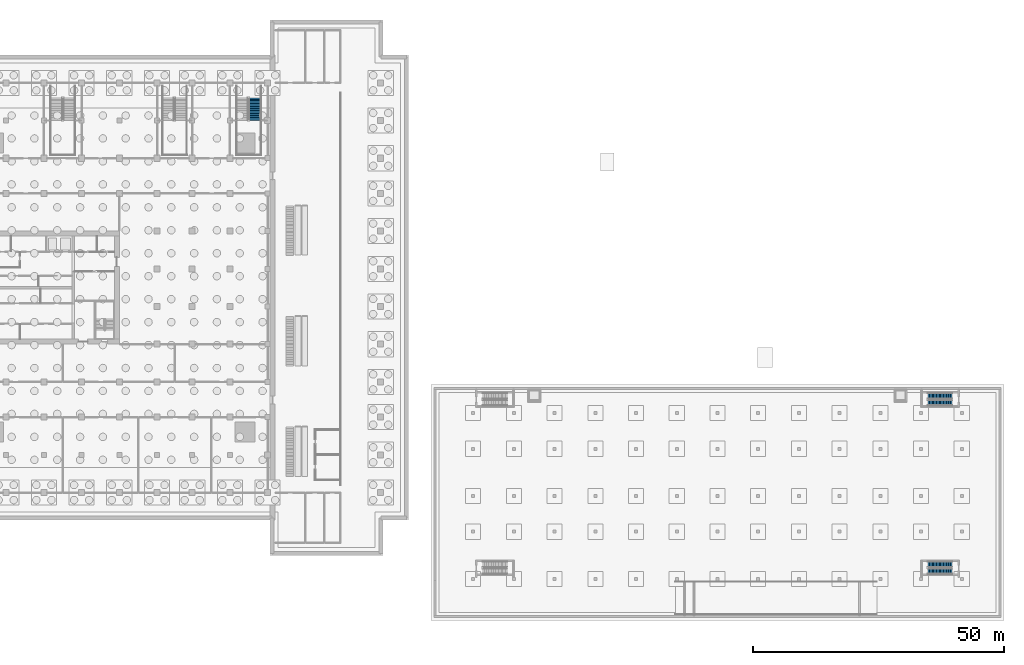
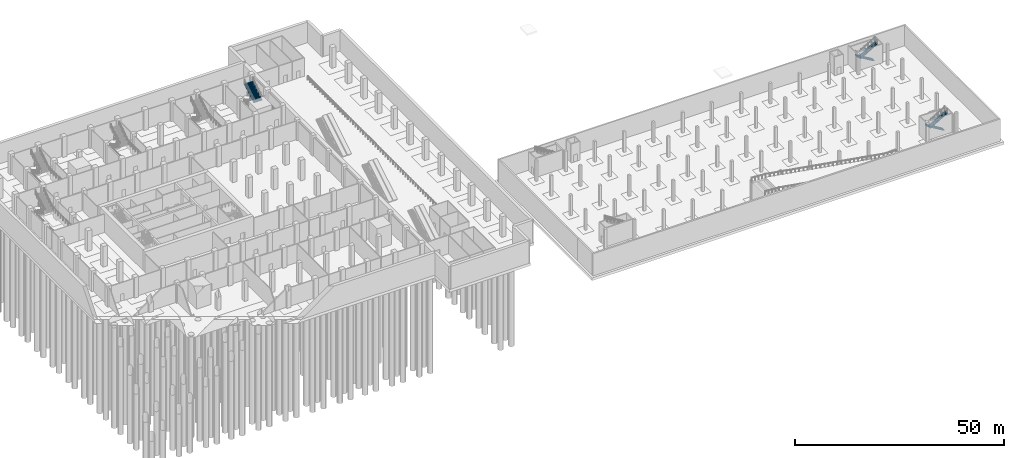
# One storey, part 26 of 39: 5 stair flights, 3 elements without a shape of their own.
"""IFC4 building model written with IfcOpenShell, lengths in metres."""

from ifc_helpers import new_model, si_unit, direction, frame, origin, place, context, subcontext, project, spatial, polyline, outline, extrude, material, type_object, element, aggregate, save


model = new_model("IFC4")

# Units and contexts
model_context = context("Model", 3, precision=1e-05, world=origin(), true_north=direction((0.0, 1.0)))
body_context = subcontext(model_context, "Body", "Model", "MODEL_VIEW")
ifc_project = project(units=[si_unit("LENGTHUNIT", "METRE"), si_unit("AREAUNIT", "SQUARE_METRE"), si_unit("VOLUMEUNIT", "CUBIC_METRE"), si_unit("PLANEANGLEUNIT", "RADIAN"), si_unit("MASSUNIT", "GRAM", prefix="KILO")], contexts=[model_context])

# Site, building, storey
site_placement = place(None, origin())
site = spatial("IfcSite", under=ifc_project, at=site_placement, CompositionType="ELEMENT")
building_placement = place(site_placement, origin())
building = spatial("IfcBuilding", under=site, at=building_placement, Name="Tamorin Gate", CompositionType="ELEMENT")
storey_placement = place(building_placement, frame((0.0, 0.0, -12.0)))
storey = spatial("IfcBuildingStorey", under=building, at=storey_placement, Name="B2", CompositionType="ELEMENT", Elevation=-12.0)

# Stair, stair flights
ifc_material_1 = material(Name="Concrete C40/50", Category="concrete")
stair_type_1 = type_object("IfcStairType", Name="Exit stair 1200 C40/50", PredefinedType="HALF_TURN_STAIR", material=ifc_material_1)
stair_1_placement = place(storey_placement, origin())
stair_1 = element("IfcStair", 1, at=stair_1_placement, inside=storey, type_object=stair_type_1, Name="B2 SB8", PredefinedType="HALF_TURN_STAIR")
stair_flight_type_1 = type_object("IfcStairFlightType", Name="Exit stair flight 1200 C40/50", PredefinedType="STRAIGHT", material=ifc_material_1)
stair_flight_1_placement = place(storey_placement, frame((225.64990234375, 16.199951171875, 0.0), z_axis=(0.0, 0.0, 1.0), x_axis=(-1.0, 0.0, 0.0)))
stair_flight_1 = element("IfcStairFlight", 2, at=stair_flight_1_placement, type_object=stair_flight_type_1, Name="SB8 flight 1", NumberOfRisers=18, NumberOfTreads=17, PredefinedType="STRAIGHT", RiserHeight=0.166666667, TreadLength=0.28, context=body_context, shape_type="SweptSolid", body=[
    extrude(outline(polyline([(-0.00048828125, 0.0), (-0.00048828125, 0.166748046875), (0.280029296875, 0.166748046875), (0.280029296875, 0.333251953125), (0.56005859375, 0.333251953125), (0.56005859375, 0.5), (0.840087890625, 0.5), (0.840087890625, 0.666748046875), (1.1201171875, 0.666748046875), (1.1201171875, 0.833251953125), (1.39990234375, 0.833251953125), (1.39990234375, 1.0), (1.679931640625, 1.0), (1.679931640625, 1.166748046875), (1.9599609375, 1.166748046875), (1.9599609375, 1.333251953125), (2.239990234375, 1.333251953125), (2.239990234375, 1.5), (2.52001953125, 1.5), (2.52001953125, 1.666748046875), (2.800048828125, 1.666748046875), (2.800048828125, 1.833251953125), (3.080078125, 1.833251953125), (3.080078125, 2.0), (3.360107421875, 2.0), (3.360107421875, 2.166748046875), (3.639892578125, 2.166748046875), (3.639892578125, 2.333251953125), (3.919921875, 2.333251953125), (3.919921875, 2.5), (4.199951171875, 2.5), (4.199951171875, 2.666748046875), (4.47998046875, 2.666748046875), (4.47998046875, 2.833251953125), (4.760009765625, 2.833251953125), (4.760009765625, 3.0), (4.760498046875, 3.0), (4.760498046875, 2.658935546875), (4.760009765625, 2.658935546875), (0.29296875, 0.0), (-0.00048828125, 0.0)])), frame((0.0, 0.60009765625, 0.0), z_axis=(0.0, -1.0, 0.0), x_axis=(1.0, 0.0, 0.0)), (0.0, 0.0, 1.0), 1.199951171875),
])
stair_flight_2_placement = place(storey_placement, frame((220.889892578125, 14.85009765625, 3.0), z_axis=(0.0, 0.0, 1.0), x_axis=(1.0, 0.0, 0.0)))
stair_flight_2 = element("IfcStairFlight", 3, at=stair_flight_2_placement, type_object=stair_flight_type_1, Name="SB8 flight 2", NumberOfRisers=18, NumberOfTreads=17, PredefinedType="STRAIGHT", RiserHeight=0.166666667, TreadLength=0.28, context=body_context, shape_type="SweptSolid", body=[
    extrude(outline(polyline([(-0.00048828125, 0.0), (-0.00048828125, 0.166748046875), (0.280029296875, 0.166748046875), (0.280029296875, 0.333251953125), (0.56005859375, 0.333251953125), (0.56005859375, 0.5), (0.840087890625, 0.5), (0.840087890625, 0.666748046875), (1.1201171875, 0.666748046875), (1.1201171875, 0.833251953125), (1.39990234375, 0.833251953125), (1.39990234375, 1.0), (1.679931640625, 1.0), (1.679931640625, 1.166748046875), (1.9599609375, 1.166748046875), (1.9599609375, 1.333251953125), (2.239990234375, 1.333251953125), (2.239990234375, 1.5), (2.52001953125, 1.5), (2.52001953125, 1.666748046875), (2.800048828125, 1.666748046875), (2.800048828125, 1.833251953125), (3.080078125, 1.833251953125), (3.080078125, 2.0), (3.360107421875, 2.0), (3.360107421875, 2.166748046875), (3.639892578125, 2.166748046875), (3.639892578125, 2.333251953125), (3.919921875, 2.333251953125), (3.919921875, 2.5), (4.199951171875, 2.5), (4.199951171875, 2.666748046875), (4.47998046875, 2.666748046875), (4.47998046875, 2.833251953125), (4.760009765625, 2.833251953125), (4.760009765625, 3.0), (4.760498046875, 3.0), (4.760498046875, 2.658935546875), (4.760009765625, 2.658935546875), (0.29296875, 0.0), (-0.00048828125, 0.0)])), frame((0.0, 0.60009765625, 0.0), z_axis=(0.0, -1.0, 0.0), x_axis=(1.0, 0.0, 0.0)), (0.0, 0.0, 1.0), 1.199951171875),
])
aggregate(stair_1, [stair_flight_1, stair_flight_2])

stair_2_placement = place(storey_placement, origin())
stair_2 = element("IfcStair", 4, at=stair_2_placement, inside=storey, type_object=stair_type_1, Name="B2 SB9", PredefinedType="HALF_TURN_STAIR")
stair_flight_3_placement = place(storey_placement, frame((225.64990234375, 49.699951171875, 0.0), z_axis=(0.0, 0.0, 1.0), x_axis=(-1.0, 0.0, 0.0)))
stair_flight_3 = element("IfcStairFlight", 5, at=stair_flight_3_placement, type_object=stair_flight_type_1, Name="SB9 flight 1", NumberOfRisers=18, NumberOfTreads=17, PredefinedType="STRAIGHT", RiserHeight=0.166666667, TreadLength=0.28, context=body_context, shape_type="SweptSolid", body=[
    extrude(outline(polyline([(-0.00048828125, 0.0), (-0.00048828125, 0.166748046875), (0.280029296875, 0.166748046875), (0.280029296875, 0.333251953125), (0.56005859375, 0.333251953125), (0.56005859375, 0.5), (0.840087890625, 0.5), (0.840087890625, 0.666748046875), (1.1201171875, 0.666748046875), (1.1201171875, 0.833251953125), (1.39990234375, 0.833251953125), (1.39990234375, 1.0), (1.679931640625, 1.0), (1.679931640625, 1.166748046875), (1.9599609375, 1.166748046875), (1.9599609375, 1.333251953125), (2.239990234375, 1.333251953125), (2.239990234375, 1.5), (2.52001953125, 1.5), (2.52001953125, 1.666748046875), (2.800048828125, 1.666748046875), (2.800048828125, 1.833251953125), (3.080078125, 1.833251953125), (3.080078125, 2.0), (3.360107421875, 2.0), (3.360107421875, 2.166748046875), (3.639892578125, 2.166748046875), (3.639892578125, 2.333251953125), (3.919921875, 2.333251953125), (3.919921875, 2.5), (4.199951171875, 2.5), (4.199951171875, 2.666748046875), (4.47998046875, 2.666748046875), (4.47998046875, 2.833251953125), (4.760009765625, 2.833251953125), (4.760009765625, 3.0), (4.760498046875, 3.0), (4.760498046875, 2.658935546875), (4.760009765625, 2.658935546875), (0.29296875, 0.0), (-0.00048828125, 0.0)])), frame((0.0, 0.60009765625, 0.0), z_axis=(0.0, -1.0, 0.0), x_axis=(1.0, 0.0, 0.0)), (0.0, 0.0, 1.0), 1.199951171875),
])
stair_flight_4_placement = place(storey_placement, frame((220.889892578125, 48.35009765625, 3.0), z_axis=(0.0, 0.0, 1.0), x_axis=(1.0, 0.0, 0.0)))
stair_flight_4 = element("IfcStairFlight", 6, at=stair_flight_4_placement, type_object=stair_flight_type_1, Name="SB9 flight 2", NumberOfRisers=18, NumberOfTreads=17, PredefinedType="STRAIGHT", RiserHeight=0.166666667, TreadLength=0.28, context=body_context, shape_type="SweptSolid", body=[
    extrude(outline(polyline([(-0.00048828125, 0.0), (-0.00048828125, 0.166748046875), (0.280029296875, 0.166748046875), (0.280029296875, 0.333251953125), (0.56005859375, 0.333251953125), (0.56005859375, 0.5), (0.840087890625, 0.5), (0.840087890625, 0.666748046875), (1.1201171875, 0.666748046875), (1.1201171875, 0.833251953125), (1.39990234375, 0.833251953125), (1.39990234375, 1.0), (1.679931640625, 1.0), (1.679931640625, 1.166748046875), (1.9599609375, 1.166748046875), (1.9599609375, 1.333251953125), (2.239990234375, 1.333251953125), (2.239990234375, 1.5), (2.52001953125, 1.5), (2.52001953125, 1.666748046875), (2.800048828125, 1.666748046875), (2.800048828125, 1.833251953125), (3.080078125, 1.833251953125), (3.080078125, 2.0), (3.360107421875, 2.0), (3.360107421875, 2.166748046875), (3.639892578125, 2.166748046875), (3.639892578125, 2.333251953125), (3.919921875, 2.333251953125), (3.919921875, 2.5), (4.199951171875, 2.5), (4.199951171875, 2.666748046875), (4.47998046875, 2.666748046875), (4.47998046875, 2.833251953125), (4.760009765625, 2.833251953125), (4.760009765625, 3.0), (4.760498046875, 3.0), (4.760498046875, 2.658935546875), (4.760009765625, 2.658935546875), (0.29296875, 0.0), (-0.00048828125, 0.0)])), frame((0.0, 0.60009765625, 0.0), z_axis=(0.0, -1.0, 0.0), x_axis=(1.0, 0.0, 0.0)), (0.0, 0.0, 1.0), 1.199951171875),
])
aggregate(stair_2, [stair_flight_3, stair_flight_4])

# Stair, stair flight
ifc_material_2 = material(Name="Reinforced concrete C32/40", Category="concrete")
stair_type_2 = type_object("IfcStairType", Name="Basement stair SB", PredefinedType="HALF_TURN_STAIR", material=ifc_material_2)
stair_3_placement = place(storey_placement, origin())
stair_3 = element("IfcStair", 7, at=stair_3_placement, inside=storey, type_object=stair_type_2, Name="B2 Basement stair SB5", PredefinedType="HALF_TURN_STAIR")
stair_flight_type_2 = type_object("IfcStairFlightType", Name="Stair flight 2400", PredefinedType="STRAIGHT", material=ifc_material_2)
stair_flight_5_placement = place(storey_placement, frame((87.02490234375, 104.52001953125, 3.0), z_axis=(0.0, 0.0, 1.0), x_axis=(0.0, 1.0, 0.0)))
stair_flight_5 = element("IfcStairFlight", 8, at=stair_flight_5_placement, type_object=stair_flight_type_2, Name="SB5 flight 2", NumberOfRisers=17, NumberOfTreads=16, PredefinedType="STRAIGHT", RiserHeight=0.176470588, TreadLength=0.28, context=body_context, shape_type="SweptSolid", body=[
    extrude(outline(polyline([(-0.00048828125, 0.0), (-0.00048828125, 0.001708984375), (-0.00048828125, 0.00341796875), (-0.00048828125, 0.005126953125), (-0.00048828125, 0.007080078125), (-0.00048828125, 0.0087890625), (-0.00048828125, 0.010498046875), (-0.00048828125, 0.01220703125), (-0.00048828125, 0.013916015625), (-0.00048828125, 0.015625), (-0.00048828125, 0.017578125), (-0.00048828125, 0.019287109375), (-0.00048828125, 0.02099609375), (-0.00048828125, 0.022705078125), (-0.00048828125, 0.0244140625), (-0.00048828125, 0.026123046875), (-0.00048828125, 0.028076171875), (-0.00048828125, 0.02978515625), (-0.00048828125, 0.031494140625), (-0.00048828125, 0.033203125), (-0.00048828125, 0.034912109375), (-0.00048828125, 0.03662109375), (-0.00048828125, 0.038330078125), (-0.00048828125, 0.040283203125), (-0.00048828125, 0.0419921875), (-0.00048828125, 0.043701171875), (-0.00048828125, 0.04541015625), (-0.00048828125, 0.047119140625), (-0.00048828125, 0.048828125), (-0.00048828125, 0.05078125), (-0.00048828125, 0.052490234375), (-0.00048828125, 0.05419921875), (-0.00048828125, 0.055908203125), (-0.00048828125, 0.0576171875), (-0.00048828125, 0.059326171875), (-0.00048828125, 0.06103515625), (-0.00048828125, 0.06298828125), (-0.00048828125, 0.064697265625), (-0.00048828125, 0.06640625), (-0.00048828125, 0.068115234375), (-0.00048828125, 0.06982421875), (-0.00048828125, 0.071533203125), (-0.00048828125, 0.073486328125), (-0.00048828125, 0.0751953125), (-0.00048828125, 0.076904296875), (-0.00048828125, 0.07861328125), (-0.00048828125, 0.080322265625), (-0.00048828125, 0.08203125), (-0.00048828125, 0.083984375), (-0.00048828125, 0.085693359375), (-0.00048828125, 0.08740234375), (-0.00048828125, 0.089111328125), (-0.00048828125, 0.0908203125), (-0.00048828125, 0.092529296875), (-0.00048828125, 0.09423828125), (-0.00048828125, 0.09619140625), (-0.00048828125, 0.097900390625), (-0.00048828125, 0.099609375), (-0.00048828125, 0.101318359375), (-0.00048828125, 0.10302734375), (-0.00048828125, 0.104736328125), (-0.00048828125, 0.106689453125), (-0.00048828125, 0.1083984375), (-0.00048828125, 0.110107421875), (-0.00048828125, 0.11181640625), (-0.00048828125, 0.113525390625), (-0.00048828125, 0.115234375), (-0.00048828125, 0.116943359375), (-0.00048828125, 0.118896484375), (-0.00048828125, 0.12060546875), (-0.00048828125, 0.122314453125), (-0.00048828125, 0.1240234375), (-0.00048828125, 0.125732421875), (-0.00048828125, 0.12744140625), (-0.00048828125, 0.12939453125), (-0.00048828125, 0.131103515625), (-0.00048828125, 0.1328125), (-0.00048828125, 0.134521484375), (-0.00048828125, 0.13623046875), (-0.00048828125, 0.137939453125), (-0.00048828125, 0.139892578125), (-0.00048828125, 0.1416015625), (-0.00048828125, 0.143310546875), (-0.00048828125, 0.14501953125), (-0.00048828125, 0.146728515625), (-0.00048828125, 0.1484375), (-0.00048828125, 0.150146484375), (-0.00048828125, 0.152099609375), (-0.00048828125, 0.15380859375), (-0.00048828125, 0.155517578125), (-0.00048828125, 0.1572265625), (-0.00048828125, 0.158935546875), (-0.00048828125, 0.16064453125), (-0.00048828125, 0.16259765625), (-0.00048828125, 0.164306640625), (-0.00048828125, 0.166015625), (-0.00048828125, 0.167724609375), (-0.00048828125, 0.16943359375), (-0.00048828125, 0.171142578125), (-0.00048828125, 0.173095703125), (-0.00048828125, 0.1748046875), (-0.00048828125, 0.176513671875), (0.280029296875, 0.176513671875), (0.280029296875, 0.35302734375), (0.56005859375, 0.35302734375), (0.56005859375, 0.529296875), (0.840087890625, 0.529296875), (0.840087890625, 0.705810546875), (1.1201171875, 0.705810546875), (1.1201171875, 0.88232421875), (1.39990234375, 0.88232421875), (1.39990234375, 1.058837890625), (1.679931640625, 1.058837890625), (1.679931640625, 1.2353515625), (1.9599609375, 1.2353515625), (1.9599609375, 1.411865234375), (2.239990234375, 1.411865234375), (2.239990234375, 1.588134765625), (2.52001953125, 1.588134765625), (2.52001953125, 1.7646484375), (2.800048828125, 1.7646484375), (2.800048828125, 1.941162109375), (3.080078125, 1.941162109375), (3.080078125, 2.11767578125), (3.360107421875, 2.11767578125), (3.360107421875, 2.294189453125), (3.639892578125, 2.294189453125), (3.639892578125, 2.470703125), (3.919921875, 2.470703125), (3.919921875, 2.64697265625), (4.199951171875, 2.64697265625), (4.199951171875, 2.823486328125), (4.47998046875, 2.823486328125), (4.47998046875, 3.0), (4.48046875, 3.0), (4.48046875, 2.99658203125), (4.48046875, 2.992919921875), (4.48046875, 2.989501953125), (4.48046875, 2.986083984375), (4.48046875, 2.982421875), (4.48046875, 2.97900390625), (4.48046875, 2.9755859375), (4.48046875, 2.971923828125), (4.48046875, 2.968505859375), (4.48046875, 2.965087890625), (4.48046875, 2.96142578125), (4.48046875, 2.9580078125), (4.48046875, 2.95458984375), (4.48046875, 2.950927734375), (4.48046875, 2.947509765625), (4.48046875, 2.944091796875), (4.48046875, 2.9404296875), (4.48046875, 2.93701171875), (4.48046875, 2.933349609375), (4.48046875, 2.929931640625), (4.48046875, 2.926513671875), (4.48046875, 2.9228515625), (4.48046875, 2.91943359375), (4.48046875, 2.916015625), (4.48046875, 2.912353515625), (4.48046875, 2.908935546875), (4.48046875, 2.905517578125), (4.48046875, 2.90185546875), (4.48046875, 2.8984375), (4.48046875, 2.89501953125), (4.48046875, 2.891357421875), (4.48046875, 2.887939453125), (4.48046875, 2.884521484375), (4.48046875, 2.880859375), (4.48046875, 2.87744140625), (4.48046875, 2.8740234375), (4.48046875, 2.870361328125), (4.48046875, 2.866943359375), (4.48046875, 2.863525390625), (4.48046875, 2.85986328125), (4.48046875, 2.8564453125), (4.48046875, 2.85302734375), (4.48046875, 2.849365234375), (4.48046875, 2.845947265625), (4.48046875, 2.842529296875), (4.48046875, 2.8388671875), (4.48046875, 2.83544921875), (4.48046875, 2.83203125), (4.48046875, 2.828369140625), (4.48046875, 2.824951171875), (4.48046875, 2.821533203125), (4.48046875, 2.81787109375), (4.48046875, 2.814453125), (4.48046875, 2.81103515625), (4.48046875, 2.807373046875), (4.48046875, 2.803955078125), (4.48046875, 2.80029296875), (4.48046875, 2.796875), (4.48046875, 2.79345703125), (4.48046875, 2.789794921875), (4.48046875, 2.786376953125), (4.48046875, 2.782958984375), (4.48046875, 2.779296875), (4.48046875, 2.77587890625), (4.48046875, 2.7724609375), (4.48046875, 2.768798828125), (4.48046875, 2.765380859375), (4.48046875, 2.761962890625), (4.48046875, 2.75830078125), (4.48046875, 2.7548828125), (4.48046875, 2.75146484375), (4.48046875, 2.747802734375), (4.48046875, 2.744384765625), (4.48046875, 2.740966796875), (4.48046875, 2.7373046875), (4.48046875, 2.73388671875), (4.48046875, 2.73046875), (4.48046875, 2.726806640625), (4.48046875, 2.723388671875), (4.48046875, 2.719970703125), (4.48046875, 2.71630859375), (4.48046875, 2.712890625), (4.48046875, 2.70947265625), (4.48046875, 2.705810546875), (4.48046875, 2.702392578125), (4.48046875, 2.698974609375), (4.48046875, 2.6953125), (4.48046875, 2.69189453125), (4.48046875, 2.6884765625), (4.48046875, 2.684814453125), (4.48046875, 2.681396484375), (4.48046875, 2.677734375), (4.48046875, 2.67431640625), (4.48046875, 2.6708984375), (4.48046875, 2.667236328125), (4.48046875, 2.663818359375), (4.48046875, 2.660400390625), (4.48046875, 2.65673828125), (4.48046875, 2.6533203125), (4.48046875, 2.64990234375), (4.48046875, 2.646240234375), (4.47998046875, 2.646240234375), (0.28125, 0.0), (-0.00048828125, 0.0)])), frame((0.0, 1.199951171875, 0.0), z_axis=(0.0, -1.0, 0.0), x_axis=(1.0, 0.0, 0.0)), (0.0, 0.0, 1.0), 2.39990234375),
])
aggregate(stair_3, [stair_flight_5])

save(model, "model.ifc")
